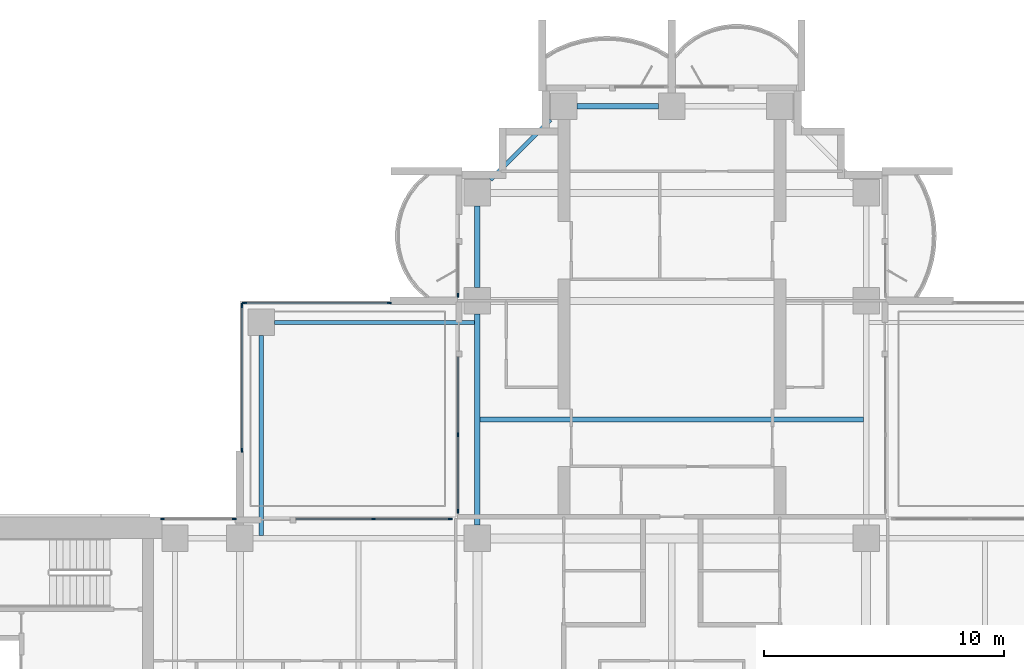
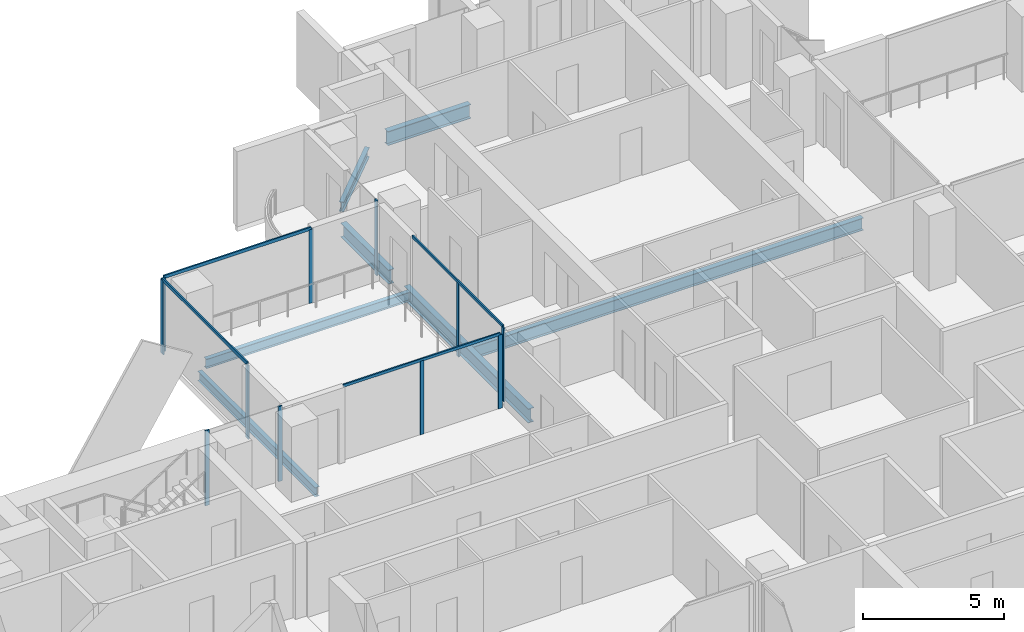
# One storey, part 5 of 19: 15 members, 7 beams, 6 elements without a shape of their own.
"""IFC4 building model written with IfcOpenShell, lengths in metres."""

from ifc_helpers import new_model, si_unit, direction, frame, origin, origin_2d, place, context, subcontext, project, spatial, rectangle, i_section, extrude, material, material_profile, profile_set, type_object, element, aggregate, save


model = new_model("IFC4")

# Units and contexts
model_context = context("Model", 3, precision=1e-05, world=origin(), true_north=direction((0.0, 1.0)))
body_context = subcontext(model_context, "Body", "Model", "MODEL_VIEW")
ifc_project = project(units=[si_unit("LENGTHUNIT", "METRE"), si_unit("AREAUNIT", "SQUARE_METRE"), si_unit("VOLUMEUNIT", "CUBIC_METRE"), si_unit("PLANEANGLEUNIT", "RADIAN"), si_unit("MASSUNIT", "GRAM", prefix="KILO")], contexts=[model_context])

# Site, building, storey
site_placement = place(None, origin())
site = spatial("IfcSite", under=ifc_project, at=site_placement, CompositionType="ELEMENT")
building_placement = place(site_placement, origin())
building = spatial("IfcBuilding", under=site, at=building_placement, Name="Perihelion Cross Residences", CompositionType="ELEMENT")
storey_placement = place(building_placement, frame((0.0, 0.0, 105.89990234375)))
storey = spatial("IfcBuildingStorey", under=building, at=storey_placement, Name="L24", CompositionType="ELEMENT", Elevation=105.89990234375)

# Curtain wall, member
ifc_material_1 = material(Name="Bronze anodised aluminium, tinted glazing", Category="aluminium")
curtain_wall_type_1 = type_object("IfcCurtainWallType", Name="CW1", PredefinedType="NOTDEFINED", material=ifc_material_1)
curtain_wall_1_placement = place(storey_placement, origin())
curtain_wall_1 = element("IfcCurtainWall", 1, at=curtain_wall_1_placement, inside=storey, type_object=curtain_wall_type_1, Name="Curtain wall CW1 L24 north side west bay 1", PredefinedType="NOTDEFINED")
ifc_material_2 = material(Name="Bronze anodised aluminium", Category="aluminium")
ifc_material_profile_1 = material_profile(ifc_material_2, rectangle(XDim=0.06005859375, YDim=0.159912109375, at=origin_2d()), Name="CW1 mullion")
ifc_profile_set_1 = profile_set([ifc_material_profile_1], Name="Bronze anodised aluminium")
member_type_1 = type_object("IfcMemberType", Name="CW1 mullion", PredefinedType="MULLION", material=ifc_profile_set_1)
member_1_placement = place(storey_placement, frame((-8.89990234375, 18.22998046875, 0.0), z_axis=(0.0, 0.0, 1.0), x_axis=(1.0, 0.0, 0.0)))
member_1 = element("IfcMember", 2, at=member_1_placement, type_object=member_type_1, Name="CW1 mullion 2", PredefinedType="MULLION", context=body_context, shape_type="SweptSolid", body=[
    extrude(rectangle(XDim=0.06005859375, YDim=0.159912109375, at=origin_2d()), origin(), (0.0, 0.0, 1.0), 3.25),
])
aggregate(curtain_wall_1, [member_1])

# Curtain wall, members
curtain_wall_2_placement = place(storey_placement, origin())
curtain_wall_2 = element("IfcCurtainWall", 3, at=curtain_wall_2_placement, inside=storey, type_object=curtain_wall_type_1, Name="Curtain wall CW1 L24 north side west bay 2", PredefinedType="NOTDEFINED")
member_2_placement = place(storey_placement, frame((-8.89990234375, 12.425048828125, 0.0), z_axis=(0.0, 0.0, 1.0), x_axis=(1.0, 0.0, 0.0)))
member_2 = element("IfcMember", 4, at=member_2_placement, type_object=member_type_1, Name="CW1 mullion 2", PredefinedType="MULLION", context=body_context, shape_type="SweptSolid", body=[
    extrude(rectangle(XDim=0.06005859375, YDim=0.159912109375, at=origin_2d()), origin(), (0.0, 0.0, 1.0), 3.190185546875),
])
member_3_placement = place(storey_placement, frame((-8.89990234375, 9.22998046875, 0.0), z_axis=(0.0, 0.0, 1.0), x_axis=(1.0, 0.0, 0.0)))
member_3 = element("IfcMember", 5, at=member_3_placement, type_object=member_type_1, Name="CW1 mullion 3", PredefinedType="MULLION", context=body_context, shape_type="SweptSolid", body=[
    extrude(rectangle(XDim=0.06005859375, YDim=0.159912109375, at=origin_2d()), origin(), (0.0, 0.0, 1.0), 3.190185546875),
])

curtain_wall_3_placement = place(storey_placement, origin())
curtain_wall_3 = element("IfcCurtainWall", 6, at=curtain_wall_3_placement, inside=storey, type_object=curtain_wall_type_1, Name="Curtain wall CW1 L24 west side north bay 1", PredefinedType="NOTDEFINED")
member_4_placement = place(storey_placement, frame((-9.22998046875, 8.89990234375, 0.0), z_axis=(0.0, 0.0, 1.0), x_axis=(0.0, -1.0, 0.0)))
member_4 = element("IfcMember", 7, at=member_4_placement, type_object=member_type_1, Name="CW1 mullion 1", PredefinedType="MULLION", context=body_context, shape_type="SweptSolid", body=[
    extrude(rectangle(XDim=0.06005859375, YDim=0.159912109375, at=origin_2d()), origin(), (0.0, 0.0, 1.0), 3.190185546875),
])
member_5_placement = place(storey_placement, frame((-12.425048828125, 8.89990234375, 0.0), z_axis=(0.0, 0.0, 1.0), x_axis=(0.0, -1.0, 0.0)))
member_5 = element("IfcMember", 8, at=member_5_placement, type_object=member_type_1, Name="CW1 mullion 2", PredefinedType="MULLION", context=body_context, shape_type="SweptSolid", body=[
    extrude(rectangle(XDim=0.06005859375, YDim=0.159912109375, at=origin_2d()), origin(), (0.0, 0.0, 1.0), 3.190185546875),
])

curtain_wall_4_placement = place(storey_placement, origin())
curtain_wall_4 = element("IfcCurtainWall", 9, at=curtain_wall_4_placement, inside=storey, type_object=curtain_wall_type_1, Name="Curtain wall CW1 L24 west side north bay 2", PredefinedType="NOTDEFINED")
member_6_placement = place(storey_placement, frame((-18.22998046875, 8.89990234375, 0.0), z_axis=(0.0, 0.0, 1.0), x_axis=(0.0, -1.0, 0.0)))
member_6 = element("IfcMember", 10, at=member_6_placement, type_object=member_type_1, Name="CW1 mullion 1", PredefinedType="MULLION", context=body_context, shape_type="SweptSolid", body=[
    extrude(rectangle(XDim=0.06005859375, YDim=0.159912109375, at=origin_2d()), origin(), (0.0, 0.0, 1.0), 3.25),
])
member_7_placement = place(storey_placement, frame((-21.219970703125, 8.89990234375, 0.0), z_axis=(0.0, 0.0, 1.0), x_axis=(0.0, -1.0, 0.0)))
member_7 = element("IfcMember", 11, at=member_7_placement, type_object=member_type_1, Name="CW1 mullion 2", PredefinedType="MULLION", context=body_context, shape_type="SweptSolid", body=[
    extrude(rectangle(XDim=0.06005859375, YDim=0.159912109375, at=origin_2d()), origin(), (0.0, 0.0, 1.0), 3.25),
])
aggregate(curtain_wall_4, [member_6, member_7])

# Member
ifc_material_3 = material(Name="Bronze anodised aluminium", Category="aluminium")
ifc_material_profile_2 = material_profile(ifc_material_3, rectangle(XDim=0.06005859375, YDim=0.1201171875, at=origin_2d()), Name="CW1 transom")
ifc_profile_set_2 = profile_set([ifc_material_profile_2], Name="Bronze anodised aluminium")
member_type_2 = type_object("IfcMemberType", Name="CW1 transom", PredefinedType="USERDEFINED", material=ifc_profile_set_2)
member_8_placement = place(storey_placement, frame((-8.89990234375, 15.64990234375, 3.22021484375), z_axis=(0.0, -1.0, 0.0), x_axis=(1.0, 0.0, 0.0)))
member_8 = element("IfcMember", 12, at=member_8_placement, type_object=member_type_2, Name="CW1 head transom", ObjectType="TRANSOM", PredefinedType="USERDEFINED", context=body_context, shape_type="SweptSolid", body=[
    extrude(rectangle(XDim=0.06005859375, YDim=0.1201171875, at=origin_2d()), origin(), (0.0, 0.0, 1.0), 6.419921875),
])

aggregate(curtain_wall_2, [member_2, member_3, member_8])

member_9_placement = place(storey_placement, frame((-9.22998046875, 8.89990234375, 3.22021484375), z_axis=(-1.0, 0.0, 0.0), x_axis=(0.0, -1.0, 0.0)))
member_9 = element("IfcMember", 13, at=member_9_placement, type_object=member_type_2, Name="CW1 head transom", ObjectType="TRANSOM", PredefinedType="USERDEFINED", context=body_context, shape_type="SweptSolid", body=[
    extrude(rectangle(XDim=0.06005859375, YDim=0.1201171875, at=origin_2d()), origin(), (0.0, 0.0, 1.0), 6.419921875),
])

aggregate(curtain_wall_3, [member_4, member_5, member_9])

# Curtain wall, members
ifc_material_4 = material(Name="Bronze anodised aluminium, tinted glazing", Category="aluminium")
curtain_wall_type_2 = type_object("IfcCurtainWallType", Name="CW4", PredefinedType="NOTDEFINED", material=ifc_material_4)
curtain_wall_5_placement = place(storey_placement, origin())
curtain_wall_5 = element("IfcCurtainWall", 14, at=curtain_wall_5_placement, inside=storey, type_object=curtain_wall_type_2, Name="Curtain wall CW4 L24 pocket north-west 1 1", PredefinedType="NOTDEFINED")
ifc_material_5 = material(Name="Bronze anodised aluminium", Category="aluminium")
ifc_material_profile_3 = material_profile(ifc_material_5, rectangle(XDim=0.06005859375, YDim=0.179931640625, at=origin_2d()), Name="CW4 mullion")
ifc_profile_set_3 = profile_set([ifc_material_profile_3], Name="Bronze anodised aluminium")
member_type_3 = type_object("IfcMemberType", Name="CW4 mullion", PredefinedType="MULLION", material=ifc_profile_set_3)
member_10_placement = place(storey_placement, frame((-17.89990234375, 11.77001953125, 0.0), z_axis=(0.0, 0.0, 1.0), x_axis=(-1.0, 0.0, 0.0)))
member_10 = element("IfcMember", 15, at=member_10_placement, type_object=member_type_3, Name="CW4 mullion 1", PredefinedType="MULLION", context=body_context, shape_type="SweptSolid", body=[
    extrude(rectangle(XDim=0.06005859375, YDim=0.179931640625, at=origin_2d()), origin(), (0.0, 0.0, 1.0), 3.190185546875),
])
member_11_placement = place(storey_placement, frame((-17.89990234375, 17.800048828125, 0.0), z_axis=(0.0, 0.0, 1.0), x_axis=(-1.0, 0.0, 0.0)))
member_11 = element("IfcMember", 16, at=member_11_placement, type_object=member_type_3, Name="CW4 mullion 2", PredefinedType="MULLION", context=body_context, shape_type="SweptSolid", body=[
    extrude(rectangle(XDim=0.06005859375, YDim=0.179931640625, at=origin_2d()), origin(), (0.0, 0.0, 1.0), 3.190185546875),
])

curtain_wall_6_placement = place(storey_placement, origin())
curtain_wall_6 = element("IfcCurtainWall", 17, at=curtain_wall_6_placement, inside=storey, type_object=curtain_wall_type_2, Name="Curtain wall CW4 L24 pocket north-west 1 2", PredefinedType="NOTDEFINED")
member_12_placement = place(storey_placement, frame((-17.800048828125, 17.89990234375, 0.0), z_axis=(0.0, 0.0, 1.0), x_axis=(0.0, 1.0, 0.0)))
member_12 = element("IfcMember", 18, at=member_12_placement, type_object=member_type_3, Name="CW4 mullion 1", PredefinedType="MULLION", context=body_context, shape_type="SweptSolid", body=[
    extrude(rectangle(XDim=0.06005859375, YDim=0.179931640625, at=origin_2d()), origin(), (0.0, 0.0, 1.0), 3.190185546875),
])
member_13_placement = place(storey_placement, frame((-11.77001953125, 17.89990234375, 0.0), z_axis=(0.0, 0.0, 1.0), x_axis=(0.0, 1.0, 0.0)))
member_13 = element("IfcMember", 19, at=member_13_placement, type_object=member_type_3, Name="CW4 mullion 2", PredefinedType="MULLION", context=body_context, shape_type="SweptSolid", body=[
    extrude(rectangle(XDim=0.06005859375, YDim=0.179931640625, at=origin_2d()), origin(), (0.0, 0.0, 1.0), 3.190185546875),
])

# Member
ifc_material_6 = material(Name="Bronze anodised aluminium", Category="aluminium")
ifc_material_profile_4 = material_profile(ifc_material_6, rectangle(XDim=0.06005859375, YDim=0.139892578125, at=origin_2d()), Name="CW4 transom")
ifc_profile_set_4 = profile_set([ifc_material_profile_4], Name="Bronze anodised aluminium")
member_type_4 = type_object("IfcMemberType", Name="CW4 transom", PredefinedType="USERDEFINED", material=ifc_profile_set_4)
member_14_placement = place(storey_placement, frame((-17.89990234375, 11.77001953125, 3.22021484375), z_axis=(0.0, 1.0, 0.0), x_axis=(-1.0, 0.0, 0.0)))
member_14 = element("IfcMember", 20, at=member_14_placement, type_object=member_type_4, Name="CW4 head transom", ObjectType="TRANSOM", PredefinedType="USERDEFINED", context=body_context, shape_type="SweptSolid", body=[
    extrude(rectangle(XDim=0.06005859375, YDim=0.139892578125, at=origin_2d()), origin(), (0.0, 0.0, 1.0), 6.030029296875),
])

aggregate(curtain_wall_5, [member_10, member_11, member_14])

member_15_placement = place(storey_placement, frame((-17.800048828125, 17.89990234375, 3.22021484375), z_axis=(1.0, 0.0, 0.0), x_axis=(0.0, 1.0, 0.0)))
member_15 = element("IfcMember", 21, at=member_15_placement, type_object=member_type_4, Name="CW4 head transom", ObjectType="TRANSOM", PredefinedType="USERDEFINED", context=body_context, shape_type="SweptSolid", body=[
    extrude(rectangle(XDim=0.06005859375, YDim=0.139892578125, at=origin_2d()), origin(), (0.0, 0.0, 1.0), 6.030029296875),
])

aggregate(curtain_wall_6, [member_12, member_13, member_15])

# Beams
ifc_material_7 = material(Name="Steel S355", Category="steel")
ifc_material_profile_5 = material_profile(ifc_material_7, i_section(OverallWidth=0.177978515625, OverallDepth=0.406005859375, WebThickness=0.0078125, FlangeThickness=0.0126953125, at=origin_2d()), Name="W410x60")
ifc_profile_set_5 = profile_set([ifc_material_profile_5], Name="Steel S355")
beam_type_1 = type_object("IfcBeamType", Name="Core edge beam W410x60", PredefinedType="BEAM", material=ifc_profile_set_5)
for number, where, z_axis, x_axis, name in (
    (22, (-17.10009765625, 8.214599609375, -0.452880859375), (0.0, 1.0, 0.0), (-1.0, 0.0, 0.0), "Core edge beam TB2 L24 corner no. 3"),
    (23, (-8.214599609375, 17.10009765625, -0.452880859375), (-1.0, 0.0, 0.0), (0.0, -1.0, 0.0), "Core edge beam TB2 L24 corner no. 4"),
):
    element("IfcBeam", number, at=place(storey_placement, frame(where, z_axis=z_axis, x_axis=x_axis)), inside=storey, type_object=beam_type_1, Name=name, PredefinedType="BEAM", context=body_context, shape_type="SweptSolid", body=[
        extrude(i_section(OverallWidth=0.177978515625, OverallDepth=0.406005859375, WebThickness=0.0078125, FlangeThickness=0.0126953125, at=origin_2d()), origin(), (0.0, 0.0, 1.0), 8.33544921875),
    ])
ifc_material_8 = material(Name="Steel S355", Category="steel")
ifc_material_profile_6 = material_profile(ifc_material_8, i_section(OverallWidth=0.22900390625, OverallDepth=0.612060546875, WebThickness=0.011962890625, FlangeThickness=0.01953125, at=origin_2d()), Name="W610x125")
ifc_profile_set_6 = profile_set([ifc_material_profile_6], Name="Steel S355")
beam_type_2 = type_object("IfcBeamType", Name="Edge beam W610x125", PredefinedType="SPANDREL", material=ifc_profile_set_6)
for number, where, z_axis, x_axis, name in (
    (24, (-0.550048828125, 26.10009765625, -0.555908203125), (-1.0, 0.0, 0.0), (0.0, -1.0, 0.0), "Edge beam SB3 L24 no. 10"),
    (25, (-8.10009765625, 21.949951171875, -0.555908203125), (0.0, -1.0, 0.0), (1.0, 0.0, 0.0), "Edge beam SB3 L24 no. 7"),
):
    element("IfcBeam", number, at=place(storey_placement, frame(where, z_axis=z_axis, x_axis=x_axis)), inside=storey, type_object=beam_type_2, Name=name, PredefinedType="SPANDREL", context=body_context, shape_type="SweptSolid", body=[
        extrude(i_section(OverallWidth=0.22900390625, OverallDepth=0.612060546875, WebThickness=0.011962890625, FlangeThickness=0.01953125, at=origin_2d()), origin(), (0.0, 0.0, 1.0), 3.39990234375),
    ])
beam_1_placement = place(storey_placement, frame((-8.10009765625, 17.449951171875, -0.555908203125), z_axis=(0.0, -1.0, 0.0), x_axis=(1.0, 0.0, 0.0)))
element("IfcBeam", 26, at=beam_1_placement, inside=storey, type_object=beam_type_2, Name="Edge beam SB3 L24 no. 6", PredefinedType="SPANDREL", context=body_context, shape_type="SweptSolid", body=[
    extrude(i_section(OverallWidth=0.22900390625, OverallDepth=0.612060546875, WebThickness=0.011962890625, FlangeThickness=0.01953125, at=origin_2d()), origin(), (0.0, 0.0, 1.0), 8.800048828125),
])
ifc_material_9 = material(Name="Steel S355", Category="steel")
ifc_material_profile_7 = material_profile(ifc_material_9, i_section(OverallWidth=0.208984375, OverallDepth=0.532958984375, WebThickness=0.01025390625, FlangeThickness=0.015625, at=origin_2d()), Name="W530x92")
ifc_profile_set_7 = profile_set([ifc_material_profile_7], Name="Steel S355")
beam_type_3 = type_object("IfcBeamType", Name="Floor joist W530x92", PredefinedType="JOIST", material=ifc_profile_set_7)
beam_2_placement = place(storey_placement, frame((-7.985595703125, 13.050048828125, -0.516357421875), z_axis=(1.0, 0.0, 0.0), x_axis=(0.0, 1.0, 0.0)))
element("IfcBeam", 27, at=beam_2_placement, inside=storey, type_object=beam_type_3, Name="Joist J4 L24 no. 4", PredefinedType="JOIST", context=body_context, shape_type="SweptSolid", body=[
    extrude(i_section(OverallWidth=0.208984375, OverallDepth=0.532958984375, WebThickness=0.01025390625, FlangeThickness=0.015625, at=origin_2d()), origin(), (0.0, 0.0, 1.0), 15.97119140625),
])
ifc_material_10 = material(Name="Steel S355", Category="steel")
ifc_material_profile_8 = material_profile(ifc_material_10, i_section(OverallWidth=0.180908203125, OverallDepth=0.4169921875, WebThickness=0.010986328125, FlangeThickness=0.018310546875, at=origin_2d()), Name="W410x85")
ifc_profile_set_8 = profile_set([ifc_material_profile_8], Name="Steel S355")
beam_type_4 = type_object("IfcBeamType", Name="Serration edge beam W410x85", PredefinedType="BEAM", material=ifc_profile_set_8)
beam_3_placement = place(storey_placement, frame((-5.050048828125, 25.550048828125, -0.45849609375), z_axis=(-0.707106781187, -0.707106781187, 0.0), x_axis=(0.707106781187, -0.707106781187, 0.0)))
element("IfcBeam", 28, at=beam_3_placement, inside=storey, type_object=beam_type_4, Name="Serration edge beam EB3 L24 no. 1", PredefinedType="BEAM", context=body_context, shape_type="SweptSolid", body=[
    extrude(i_section(OverallWidth=0.180908203125, OverallDepth=0.4169921875, WebThickness=0.010986328125, FlangeThickness=0.018310546875, at=origin_2d()), origin(), (0.0, 0.0, 1.0), 3.53564453125),
])

save(model, "model.ifc")
